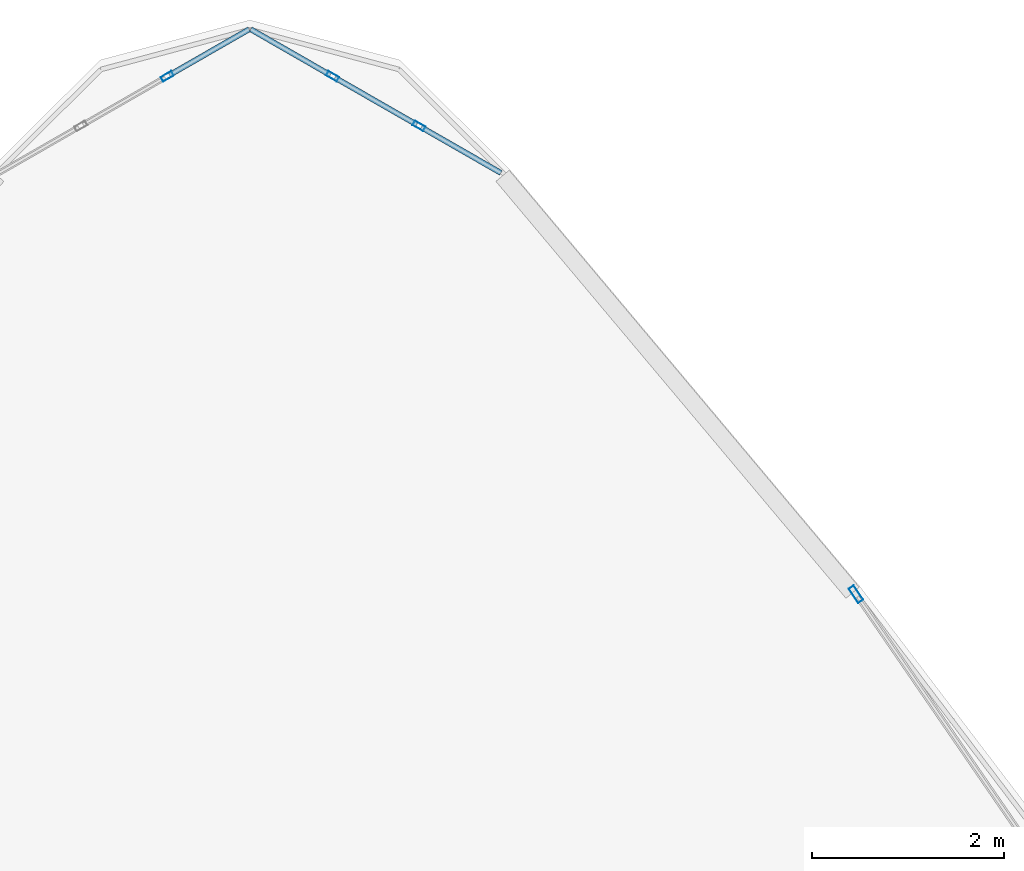
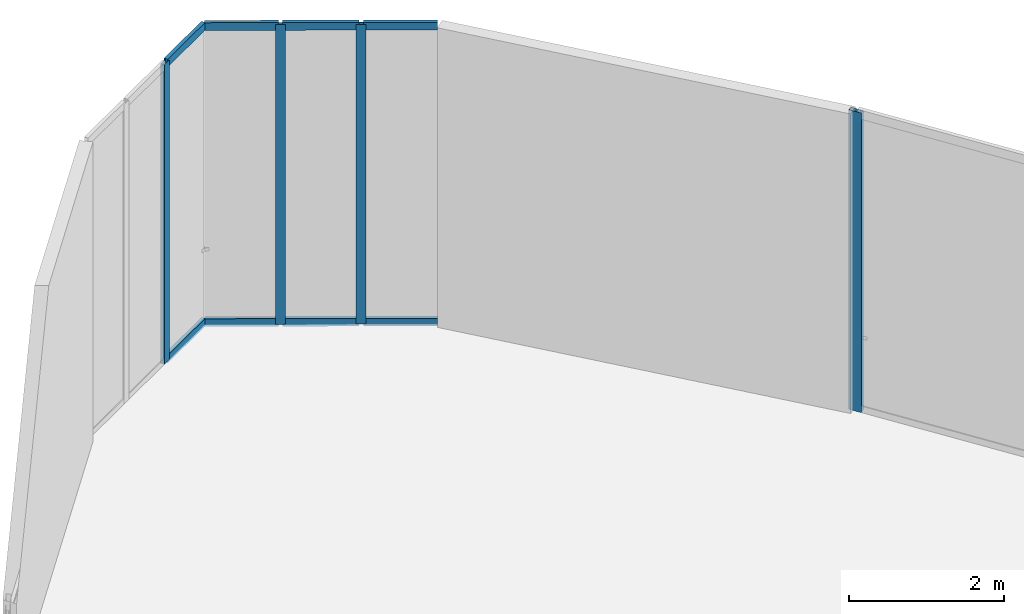
# One storey, part 26 of 33: 12 members, 3 elements without a shape of their own.
"""IFC4 building model written with IfcOpenShell, lengths in metres."""

import ifcopenshell
import ifcopenshell.guid

model = None  # the IFC model being written
_history = None  # IfcOwnerHistory: only IFC2X3 demands one
_inside = {}  # id of a spatial element -> (the spatial element, [elements in it])
_under = {}  # id of a project, library or spatial element -> (it, [spatial elements below it])
_declared = {}  # id of a project -> (the project, [libraries it declares])
_typed = {}  # id of a type object -> (the type object, [elements of that type])
_made_of = {}  # id of a material, layer set ... -> (it, [elements and type objects made of it])


def new_model(schema):
    """Start an empty IFC model of exactly this schema.

    Asked for "IFC4X3", IfcOpenShell would pick the latest addendum, in which some entities
    have other attributes; the version numbers below select the first issue.
    IFC2X3 requires an IfcOwnerHistory on every rooted entity: one is made here for all.
    """
    global model, _history
    if schema == "IFC4X3":
        model = ifcopenshell.file(schema_version=(4, 3, 0, 0))
    else:
        model = ifcopenshell.file(schema=schema)
    _inside.clear()
    _under.clear()
    _declared.clear()
    _typed.clear()
    _made_of.clear()
    _history = None
    if model.schema == "IFC2X3":
        org = make("IfcOrganization", Name="unknown")
        user = make(
            "IfcPersonAndOrganization",
            ThePerson=make("IfcPerson", FamilyName="unknown"),
            TheOrganization=org,
        )
        app = make(
            "IfcApplication",
            ApplicationDeveloper=org,
            Version="unknown",
            ApplicationFullName="unknown",
            ApplicationIdentifier="unknown",
        )
        _history = make(
            "IfcOwnerHistory",
            OwningUser=user,
            OwningApplication=app,
            ChangeAction="ADDED",
            CreationDate=0,
        )
    return model


def make(cls, **values):
    """One entity of the class cls with the attributes given. An attribute that is None is left unset."""
    return model.create_entity(
        cls, **{name: value for name, value in values.items() if value is not None}
    )


def rooted(cls, **values):
    """An entity with a GlobalId (a new one), such as an element, a storey or a relation."""
    return make(cls, GlobalId=ifcopenshell.guid.new(), OwnerHistory=_history, **values)


def si_unit(unit_type, name, prefix=None):
    """IfcSIUnit, for example si_unit("LENGTHUNIT", "METRE", prefix="MILLI")."""
    return make("IfcSIUnit", UnitType=unit_type, Prefix=prefix, Name=name)


def assignment(units):
    """IfcUnitAssignment: the units of a project."""
    return None if units is None else make("IfcUnitAssignment", Units=units)


def point(xyz):
    """IfcCartesianPoint."""
    return None if xyz is None else make("IfcCartesianPoint", Coordinates=xyz)


def direction(xyz):
    """IfcDirection."""
    return None if xyz is None else make("IfcDirection", DirectionRatios=xyz)


def frame(location, z_axis=None, x_axis=None):
    """IfcAxis2Placement3D, a coordinate frame: its origin and axes. An axis left out is left unset."""
    return make(
        "IfcAxis2Placement3D",
        Location=point(location),
        Axis=direction(z_axis),
        RefDirection=direction(x_axis),
    )


def frame_2d(location, x_axis=None):
    """IfcAxis2Placement2D, a coordinate frame in the plane: its origin and x axis."""
    return make(
        "IfcAxis2Placement2D", Location=point(location), RefDirection=direction(x_axis)
    )


def origin():
    """The frame at (0, 0, 0) with its axes left unset."""
    return frame((0.0, 0.0, 0.0))


def origin_2d():
    """The frame at (0, 0) in the plane with its x axis left unset."""
    return frame_2d((0.0, 0.0))


def place(relative_to, where):
    """IfcLocalPlacement: puts the frame where relative to a parent placement (None: the world)."""
    return make(
        "IfcLocalPlacement", PlacementRelTo=relative_to, RelativePlacement=where
    )


def context(
    kind, dimensions, precision=None, world=None, true_north=None, identifier=None
):
    """IfcGeometricRepresentationContext, for example the 3D "Model" context."""
    return make(
        "IfcGeometricRepresentationContext",
        ContextIdentifier=identifier,
        ContextType=kind,
        CoordinateSpaceDimension=dimensions,
        Precision=precision,
        WorldCoordinateSystem=world,
        TrueNorth=true_north,
    )


def subcontext(parent, identifier, kind, view, scale=None):
    """IfcGeometricRepresentationSubContext, for example "Body" below "Model"."""
    return make(
        "IfcGeometricRepresentationSubContext",
        ContextIdentifier=identifier,
        ContextType=kind,
        ParentContext=parent,
        TargetScale=scale,
        TargetView=view,
    )


def project(units=None, contexts=None):
    """IfcProject with its units and contexts."""
    return rooted(
        "IfcProject",
        Name="project",
        RepresentationContexts=contexts,
        UnitsInContext=assignment(units),
    )


def spatial(cls, under=None, at=None, **own):
    """A site, building, storey or space (cls), placed at a placement, below another one or the project."""
    s = rooted(cls, ObjectPlacement=at, **own)
    if under is not None:
        _under.setdefault(under.id(), (under, []))[1].append(s)
    return s


def profile(cls, at=None, kind="AREA", **sizes):
    """A parametric profile (cls). Its sizes go by their IFC names, for example OverallWidth=200.0."""
    return make(cls, ProfileType=kind, Position=at, **sizes)


def hollow_rectangle(**sizes):
    """IfcRectangleHollowProfileDef."""
    return profile("IfcRectangleHollowProfileDef", **sizes)


def extrude(swept, where, along, depth):
    """IfcExtrudedAreaSolid: the profile swept, set in the frame where, extruded along a direction by depth."""
    return make(
        "IfcExtrudedAreaSolid",
        SweptArea=swept,
        Position=where,
        ExtrudedDirection=direction(along),
        Depth=depth,
    )


def shape(context_of_items, identifier, shape_type, items):
    """IfcShapeRepresentation: the items that make up one representation, for example the "Body"."""
    return make(
        "IfcShapeRepresentation",
        ContextOfItems=context_of_items,
        RepresentationIdentifier=identifier,
        RepresentationType=shape_type,
        Items=items,
    )


def source(mapping_origin, context_of_items, identifier, shape_type, items):
    """IfcRepresentationMap: a shape defined once, which mapped items show again and again."""
    return make(
        "IfcRepresentationMap",
        MappingOrigin=mapping_origin,
        MappedRepresentation=shape(context_of_items, identifier, shape_type, items),
    )


def transform(
    local_origin,
    x_axis=None,
    y_axis=None,
    z_axis=None,
    scale=None,
    scale2=None,
    scale3=None,
    uniform=True,
):
    """IfcCartesianTransformationOperator3D, or its non-uniform kind. x_axis, y_axis, z_axis: its Axis1, 2, 3."""
    if uniform:
        return make(
            "IfcCartesianTransformationOperator3D",
            Axis1=direction(x_axis),
            Axis2=direction(y_axis),
            LocalOrigin=point(local_origin),
            Scale=scale,
            Axis3=direction(z_axis),
        )
    return make(
        "IfcCartesianTransformationOperator3DnonUniform",
        Axis1=direction(x_axis),
        Axis2=direction(y_axis),
        LocalOrigin=point(local_origin),
        Scale=scale,
        Axis3=direction(z_axis),
        Scale2=scale2,
        Scale3=scale3,
    )


def mapped(mapping_source, mapping_target):
    """IfcMappedItem: shows the shape of a source again, moved by a transform."""
    return make(
        "IfcMappedItem", MappingSource=mapping_source, MappingTarget=mapping_target
    )


def material(Name=None, Category=None):
    """IfcMaterial."""
    return make("IfcMaterial", Name=Name, Category=Category)


def layer(
    of_material, thickness, ventilated=None, Name=None, Category=None, Priority=None
):
    """IfcMaterialLayer: one layer of a wall or slab, of a material (None: an air gap)."""
    return make(
        "IfcMaterialLayer",
        Material=of_material,
        LayerThickness=thickness,
        IsVentilated=ventilated,
        Name=Name,
        Category=Category,
        Priority=Priority,
    )


def layer_set(layers, Name=None):
    """IfcMaterialLayerSet."""
    return make("IfcMaterialLayerSet", MaterialLayers=layers, LayerSetName=Name)


def material_profile(
    of_material, cross_section, Name=None, Category=None, Priority=None
):
    """IfcMaterialProfile: a cross section and its material."""
    return make(
        "IfcMaterialProfile",
        Name=Name,
        Material=of_material,
        Profile=cross_section,
        Priority=Priority,
        Category=Category,
    )


def profile_set(profiles, Name=None, composite=None):
    """IfcMaterialProfileSet."""
    return make(
        "IfcMaterialProfileSet",
        Name=Name,
        MaterialProfiles=profiles,
        CompositeProfile=composite,
    )


def made_of(thing, what):
    """Note that an element or type object is made of a material, layer set ...; save() writes the relation."""
    if what is not None:
        _made_of.setdefault(what.id(), (what, []))[1].append(thing)
    return thing


def type_object(cls, material=None, **own):
    """A type object (cls), such as IfcWallType, which elements share."""
    return made_of(rooted(cls, **own), material)


def element(
    cls,
    number,
    at=None,
    inside=None,
    cuts=None,
    type_object=None,
    material=None,
    context=None,
    identifier="Body",
    shape_type=None,
    held_by="IfcProductDefinitionShape",
    body=None,
    shapes=None,
    **own,
):
    """One element of the class cls, such as IfcWall. Its Tag is "e" and its number.

    at: its placement. inside: the storey or other place that contains it. cuts: it is an
    opening in that element (IfcRelVoidsElement). A single representation is given by context,
    identifier, shape_type and body (its items); several are given by shapes. held_by: the class
    of the entity that holds the representations. save() writes the other relations.
    """
    e = rooted(cls, Tag="e%d" % number, ObjectPlacement=at, **own)
    if body is not None:
        shapes = [shape(context, identifier, shape_type, body)]
    if shapes is not None:
        e.Representation = make(held_by, Representations=shapes)
    if inside is not None:
        _inside.setdefault(inside.id(), (inside, []))[1].append(e)
    if cuts is not None:
        rooted(
            "IfcRelVoidsElement", RelatingBuildingElement=cuts, RelatedOpeningElement=e
        )
    if type_object is not None:
        _typed.setdefault(type_object.id(), (type_object, []))[1].append(e)
    return made_of(e, material)


def aggregate(whole, parts):
    """IfcRelAggregates: a whole, such as a stair, and the parts it consists of."""
    return rooted("IfcRelAggregates", RelatingObject=whole, RelatedObjects=parts)


def save(model, path):
    """Write the relations noted so far, then the file.

    IfcRelAggregates (storeys below a building ...), IfcRelContainedInSpatialStructure (elements
    in a storey), IfcRelDefinesByType, IfcRelAssociatesMaterial and IfcRelDeclares: one each for
    every whole, place, type object, material and project.
    """
    for whole, parts in _under.values():
        aggregate(whole, parts)
    for where, things in _inside.values():
        rooted(
            "IfcRelContainedInSpatialStructure",
            RelatedElements=things,
            RelatingStructure=where,
        )
    for kind, things in _typed.values():
        rooted("IfcRelDefinesByType", RelatedObjects=things, RelatingType=kind)
    for what, things in _made_of.values():
        rooted("IfcRelAssociatesMaterial", RelatedObjects=things, RelatingMaterial=what)
    for by, libraries in _declared.values():
        rooted("IfcRelDeclares", RelatingContext=by, RelatedDefinitions=libraries)
    model.write(path)


model = new_model("IFC4")

# Units and contexts
model_context = context("Model", 3, precision=1e-05, world=origin(), true_north=direction((0.0, 1.0)))
body_context = subcontext(model_context, "Body", "Model", "MODEL_VIEW")
ifc_project = project(units=[si_unit("LENGTHUNIT", "METRE"), si_unit("AREAUNIT", "SQUARE_METRE"), si_unit("VOLUMEUNIT", "CUBIC_METRE"), si_unit("PLANEANGLEUNIT", "RADIAN"), si_unit("MASSUNIT", "GRAM", prefix="KILO"), si_unit("THERMODYNAMICTEMPERATUREUNIT", "KELVIN"), si_unit("POWERUNIT", "WATT")], contexts=[model_context])

# Site, building, storey
site_placement = place(None, origin())
site = spatial("IfcSite", under=ifc_project, at=site_placement, CompositionType="ELEMENT")
building_placement = place(site_placement, origin())
building = spatial("IfcBuilding", under=site, at=building_placement, Name="Yunzhuo Pagoda Commons", CompositionType="ELEMENT")
storey_placement = place(building_placement, frame((0.0, 0.0, 386.760009765625)))
storey = spatial("IfcBuildingStorey", under=building, at=storey_placement, Name="L96", CompositionType="ELEMENT", Elevation=386.760009765625)

# Curtain wall, member
ifc_material = material(Name="Anodized aluminium 6063-T6", Category="aluminium")
ifc_layer_1 = layer(ifc_material, 0.179931640625)
ifc_layer_set_1 = layer_set([ifc_layer_1], Name="Anodized aluminium 6063-T6")
curtain_wall_type_1 = type_object("IfcCurtainWallType", Name="CW-CRN Crown Gable Glazing System", PredefinedType="NOTDEFINED", material=ifc_layer_set_1)
curtain_wall_1_placement = place(storey_placement, origin())
curtain_wall_1 = element("IfcCurtainWall", 1, at=curtain_wall_1_placement, inside=storey, type_object=curtain_wall_type_1, Name="L96 curtain wall CW-L96-CRNF2G2", PredefinedType="NOTDEFINED")
ifc_material_profile_1 = material_profile(ifc_material, hollow_rectangle(XDim=0.06494140625, YDim=0.179931640625, WallThickness=0.00390625, at=origin_2d()), Name="Anodized aluminium 6063-T6")
ifc_profile_set_1 = profile_set([ifc_material_profile_1], Name="Anodized aluminium 6063-T6")
member_type_1 = type_object("IfcMemberType", Name="CW-CRN-M Mullion RHS 180x65x4", PredefinedType="MULLION", material=ifc_profile_set_1)
shared_shape_1 = source(origin(), body_context, "Body", "SweptSolid", [
    extrude(hollow_rectangle(XDim=0.06494140625, YDim=0.179931640625, WallThickness=0.00390625, at=origin_2d()), origin(), (0.0, 0.0, 1.0), 4.72021484375),
])
member_1_placement = place(storey_placement, frame((54.32080078125, 64.46875, 0.0), z_axis=(0.0, 0.0, 1.0), x_axis=(-0.824296116005, -0.566158911561, 0.0)))
member_1 = element("IfcMember", 2, at=member_1_placement, type_object=member_type_1, Name="CW mullion 5", PredefinedType="MULLION", context=body_context, shape_type="MappedRepresentation", body=[
    mapped(shared_shape_1, transform((0.0, 0.0, 0.0), scale=1.0)),
])
aggregate(curtain_wall_1, [member_1])

# Curtain wall, members
ifc_layer_2 = layer(ifc_material, 0.1298828125)
ifc_layer_set_2 = layer_set([ifc_layer_2], Name="Anodized aluminium 6063-T6")
curtain_wall_type_2 = type_object("IfcCurtainWallType", Name="CW-VTX Rounded Corner Curtain Wall", PredefinedType="NOTDEFINED", material=ifc_layer_set_2)
curtain_wall_2_placement = place(storey_placement, origin())
curtain_wall_2 = element("IfcCurtainWall", 3, at=curtain_wall_2_placement, inside=storey, type_object=curtain_wall_type_2, Name="L96 curtain wall CW-L96-CRNV3S1", PredefinedType="NOTDEFINED")
ifc_material_profile_2 = material_profile(ifc_material, hollow_rectangle(XDim=0.054931640625, YDim=0.1298828125, WallThickness=0.00341796875, at=origin_2d()), Name="Anodized aluminium 6063-T6")
ifc_profile_set_2 = profile_set([ifc_material_profile_2], Name="Anodized aluminium 6063-T6")
member_type_2 = type_object("IfcMemberType", Name="CW-VTX-M Mullion RHS 130x55x3.5", PredefinedType="MULLION", material=ifc_profile_set_2)
shared_shape_2 = source(origin(), body_context, "Body", "SweptSolid", [
    extrude(hollow_rectangle(XDim=0.054931640625, YDim=0.1298828125, WallThickness=0.00341796875, at=origin_2d()), origin(), (0.0, 0.0, 1.0), 4.72021484375),
])
member_2_placement = place(storey_placement, frame((49.763427734375, 69.3525390625, 0.0), z_axis=(0.0, 0.0, 1.0), x_axis=(-0.497936732633, -0.867213359154, 0.0)))
member_2 = element("IfcMember", 4, at=member_2_placement, type_object=member_type_2, Name="CW mullion 2", PredefinedType="MULLION", context=body_context, shape_type="MappedRepresentation", body=[
    mapped(shared_shape_2, transform((0.0, 0.0, 0.0), scale=1.0)),
])
member_3_placement = place(storey_placement, frame((48.86181640625, 69.8701171875, 0.0), z_axis=(0.0, 0.0, 1.0), x_axis=(-0.497936732633, -0.867213359154, 0.0)))
member_3 = element("IfcMember", 5, at=member_3_placement, type_object=member_type_2, Name="CW mullion 3", PredefinedType="MULLION", context=body_context, shape_type="MappedRepresentation", body=[
    mapped(shared_shape_2, transform((0.0, 0.0, 0.0), scale=1.0)),
])

# Curtain wall, member
curtain_wall_3_placement = place(storey_placement, origin())
curtain_wall_3 = element("IfcCurtainWall", 6, at=curtain_wall_3_placement, inside=storey, type_object=curtain_wall_type_2, Name="L96 curtain wall CW-L96-CRNV3S2", PredefinedType="NOTDEFINED")
member_4_placement = place(storey_placement, frame((47.13818359375, 69.8701171875, 0.0), z_axis=(0.0, 0.0, 1.0), x_axis=(0.497936732633, -0.867213359154, 0.0)))
member_4 = element("IfcMember", 7, at=member_4_placement, type_object=member_type_2, Name="CW mullion 2", PredefinedType="MULLION", context=body_context, shape_type="MappedRepresentation", body=[
    mapped(shared_shape_2, transform((0.0, 0.0, 0.0), scale=1.0)),
])

# Member
ifc_material_profile_3 = material_profile(ifc_material, hollow_rectangle(XDim=0.054931640625, YDim=0.1201171875, WallThickness=0.00341796875, at=origin_2d()), Name="Anodized aluminium 6063-T6")
ifc_profile_set_3 = profile_set([ifc_material_profile_3], Name="Anodized aluminium 6063-T6")
member_type_3 = type_object("IfcMemberType", Name="CW-VTX-T Transom RHS 120x55x3.5", PredefinedType="USERDEFINED", material=ifc_profile_set_3)
shared_shape_3 = source(origin(), body_context, "Body", "SweptSolid", [
    extrude(hollow_rectangle(XDim=0.054931640625, YDim=0.1201171875, WallThickness=0.00341796875, at=origin_2d()), origin(), (0.0, 0.0, 1.0), 0.95703125),
])
member_5_placement = place(storey_placement, frame((50.617431640625, 68.8623046875, 0.027587890625), z_axis=(-0.867173527489, 0.498006097575, 0.0), x_axis=(-0.498006097575, -0.867173527489, 0.0)))
member_5 = element("IfcMember", 8, at=member_5_placement, type_object=member_type_3, Name="CW transom 1.1", ObjectType="TRANSOM", PredefinedType="USERDEFINED", context=body_context, shape_type="MappedRepresentation", body=[
    mapped(shared_shape_3, transform((0.0, 0.0, 0.0), scale=1.0)),
])

member_6_placement = place(storey_placement, frame((50.617431640625, 68.8623046875, 4.6923828125), z_axis=(-0.867173527489, 0.498006097575, 0.0), x_axis=(-0.498006097575, -0.867173527489, 0.0)))
member_6 = element("IfcMember", 9, at=member_6_placement, type_object=member_type_3, Name="CW transom 1.2", ObjectType="TRANSOM", PredefinedType="USERDEFINED", context=body_context, shape_type="MappedRepresentation", body=[
    mapped(shared_shape_3, transform((0.0, 0.0, 0.0), scale=1.0)),
])

member_7_placement = place(storey_placement, frame((48.837890625, 69.8837890625, 0.027587890625), z_axis=(-0.867063342111, 0.498197913251, 0.0), x_axis=(-0.498197913251, -0.867063342111, 0.0)))
member_7 = element("IfcMember", 10, at=member_7_placement, type_object=member_type_3, Name="CW transom 3.1", ObjectType="TRANSOM", PredefinedType="USERDEFINED", context=body_context, shape_type="MappedRepresentation", body=[
    mapped(shared_shape_3, transform((0.0, 0.0, 0.0), scale=1.0)),
])

member_8_placement = place(storey_placement, frame((48.837890625, 69.8837890625, 4.6923828125), z_axis=(-0.867063342111, 0.498197913251, 0.0), x_axis=(-0.498197913251, -0.867063342111, 0.0)))
member_8 = element("IfcMember", 11, at=member_8_placement, type_object=member_type_3, Name="CW transom 3.2", ObjectType="TRANSOM", PredefinedType="USERDEFINED", context=body_context, shape_type="MappedRepresentation", body=[
    mapped(shared_shape_3, transform((0.0, 0.0, 0.0), scale=1.0)),
])

shared_shape_4 = source(origin(), body_context, "Body", "SweptSolid", [
    extrude(hollow_rectangle(XDim=0.054931640625, YDim=0.1201171875, WallThickness=0.00341796875, at=origin_2d()), origin(), (0.0, 0.0, 1.0), 0.984619140625),
])
member_9_placement = place(storey_placement, frame((49.739501953125, 69.3662109375, 0.027587890625), z_axis=(-0.867203521123, 0.497953866289, 0.0), x_axis=(-0.497953866289, -0.867203521123, 0.0)))
member_9 = element("IfcMember", 12, at=member_9_placement, type_object=member_type_3, Name="CW transom 2.1", ObjectType="TRANSOM", PredefinedType="USERDEFINED", context=body_context, shape_type="MappedRepresentation", body=[
    mapped(shared_shape_4, transform((0.0, 0.0, 0.0), scale=1.0)),
])

member_10_placement = place(storey_placement, frame((49.739501953125, 69.3662109375, 4.6923828125), z_axis=(-0.867203521123, 0.497953866289, 0.0), x_axis=(-0.497953866289, -0.867203521123, 0.0)))
member_10 = element("IfcMember", 13, at=member_10_placement, type_object=member_type_3, Name="CW transom 2.2", ObjectType="TRANSOM", PredefinedType="USERDEFINED", context=body_context, shape_type="MappedRepresentation", body=[
    mapped(shared_shape_4, transform((0.0, 0.0, 0.0), scale=1.0)),
])

aggregate(curtain_wall_2, [member_2, member_3, member_5, member_6, member_9, member_10, member_7, member_8])

shared_shape_5 = source(origin(), body_context, "Body", "SweptSolid", [
    extrude(hollow_rectangle(XDim=0.054931640625, YDim=0.1201171875, WallThickness=0.00341796875, at=origin_2d()), origin(), (0.0, 0.0, 1.0), 0.95751953125),
])
member_11_placement = place(storey_placement, frame((47.992431640625, 70.360595703125, 0.027587890625), z_axis=(-0.867189887215, -0.497977609448, 0.0), x_axis=(0.497977609448, -0.867189887215, 0.0)))
member_11 = element("IfcMember", 14, at=member_11_placement, type_object=member_type_3, Name="CW transom 1.1", ObjectType="TRANSOM", PredefinedType="USERDEFINED", context=body_context, shape_type="MappedRepresentation", body=[
    mapped(shared_shape_5, transform((0.0, 0.0, 0.0), scale=1.0)),
])

member_12_placement = place(storey_placement, frame((47.992431640625, 70.360595703125, 4.6923828125), z_axis=(-0.867189887215, -0.497977609448, 0.0), x_axis=(0.497977609448, -0.867189887215, 0.0)))
member_12 = element("IfcMember", 15, at=member_12_placement, type_object=member_type_3, Name="CW transom 1.2", ObjectType="TRANSOM", PredefinedType="USERDEFINED", context=body_context, shape_type="MappedRepresentation", body=[
    mapped(shared_shape_5, transform((0.0, 0.0, 0.0), scale=1.0)),
])

aggregate(curtain_wall_3, [member_4, member_11, member_12])

save(model, "model.ifc")
